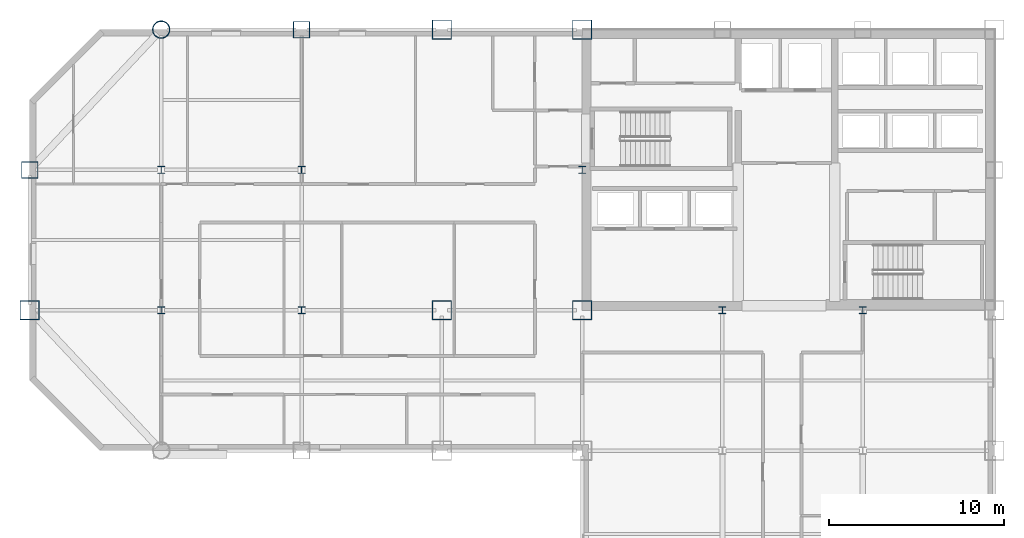
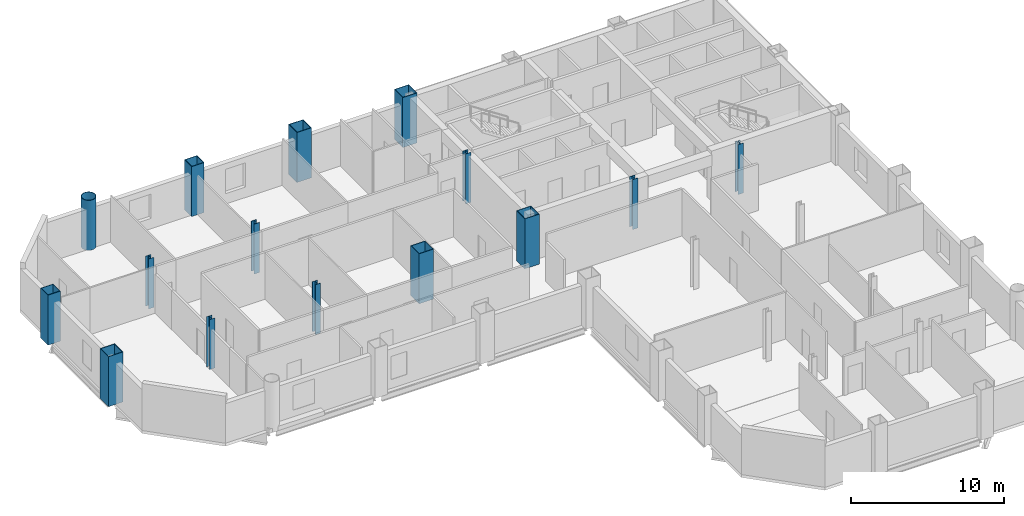
# One storey, part 3 of 10: 15 columns.
"""IFC4 building model written with IfcOpenShell, lengths in metres."""

from ifc_helpers import new_model, si_unit, direction, frame, origin, origin_2d, place, context, subcontext, project, spatial, hollow_rectangle, hollow_circle, i_section, extrude, material, material_profile, profile_set, type_object, element, save


model = new_model("IFC4")

# Units and contexts
model_context = context("Model", 3, precision=1e-05, world=origin(), true_north=direction((0.0, 1.0)))
body_context = subcontext(model_context, "Body", "Model", "MODEL_VIEW")
ifc_project = project(units=[si_unit("LENGTHUNIT", "METRE"), si_unit("AREAUNIT", "SQUARE_METRE"), si_unit("VOLUMEUNIT", "CUBIC_METRE"), si_unit("PLANEANGLEUNIT", "RADIAN"), si_unit("MASSUNIT", "GRAM", prefix="KILO")], contexts=[model_context])

# Site, building, storey
site_placement = place(None, origin())
site = spatial("IfcSite", under=ifc_project, at=site_placement, CompositionType="ELEMENT")
building_placement = place(site_placement, origin())
building = spatial("IfcBuilding", under=site, at=building_placement, Name="Qianrong Seaharbour Tower", CompositionType="ELEMENT")
storey_placement = place(building_placement, frame((0.0, 0.0, 179.0)))
storey = spatial("IfcBuildingStorey", under=building, at=storey_placement, Name="L43", CompositionType="ELEMENT", Elevation=179.0)

# Columns
ifc_material = material(Name="Structural steel SN490B", Category="steel")
ifc_material_profile_1 = material_profile(ifc_material, hollow_rectangle(XDim=1.10009765625, YDim=1.10009765625, WallThickness=0.0400390625, at=origin_2d()), Name="BOX1100x1100x40")
ifc_profile_set_1 = profile_set([ifc_material_profile_1], Name="Structural steel SN490B")
column_type_1 = type_object("IfcColumnType", Name="COL-CFT-1100", PredefinedType="COLUMN", material=ifc_profile_set_1)
for number, where, z_axis, x_axis, name in (
    (1, (9.0, 36.0, 0.0), (0.0, 0.0, 1.0), (1.0, 0.0, 0.0), "L43 Column MC-3 at G2/GF"),
    (2, (32.5, 36.0, 0.0), (0.0, 0.0, 1.0), (1.0, 0.0, 0.0), "L43 Column MC-3 at G5/GF"),
    (3, (32.5, 52.0, 0.0), (0.0, 0.0, 1.0), (1.0, 0.0, 0.0), "L43 Column MC-3 at G5/GH"),
    (4, (40.5, 36.0, 0.0), (0.0, 0.0, 1.0), (1.0, 0.0, 0.0), "L43 Column MC-3 at G6/GF"),
    (5, (40.5, 52.0, 0.0), (0.0, 0.0, 1.0), (1.0, 0.0, 0.0), "L43 Column MC-3 at G6/GH"),
):
    element("IfcColumn", number, at=place(storey_placement, frame(where, z_axis=z_axis, x_axis=x_axis)), inside=storey, type_object=column_type_1, Name=name, PredefinedType="COLUMN", context=body_context, shape_type="SweptSolid", body=[
        extrude(hollow_rectangle(XDim=1.10009765625, YDim=1.10009765625, WallThickness=0.0400390625, at=origin_2d()), origin(), (0.0, 0.0, 1.0), 4.0),
    ])
ifc_material_profile_2 = material_profile(ifc_material, hollow_circle(Radius=0.5, WallThickness=0.035888671875, at=origin_2d()), Name="CHS1000x36")
ifc_profile_set_2 = profile_set([ifc_material_profile_2], Name="Structural steel SN490B")
column_type_2 = type_object("IfcColumnType", Name="COL-CHS-1000", PredefinedType="COLUMN", material=ifc_profile_set_2)
column_placement = place(storey_placement, frame((16.5, 52.0, 0.0), z_axis=(0.0, 0.0, 1.0), x_axis=(1.0, 0.0, 0.0)))
element("IfcColumn", 6, at=column_placement, inside=storey, type_object=column_type_2, Name="L43 Column CC-2 at G3/GH", PredefinedType="COLUMN", context=body_context, shape_type="SweptSolid", body=[
    extrude(hollow_circle(Radius=0.5, WallThickness=0.035888671875, at=origin_2d()), origin(), (0.0, 0.0, 1.0), 4.0),
])
ifc_material_profile_3 = material_profile(ifc_material, i_section(OverallWidth=0.39990234375, OverallDepth=0.39990234375, WebThickness=0.012939453125, FlangeThickness=0.02099609375, FilletRadius=0.02197265625, at=origin_2d()), Name="H400x400x13x21")
ifc_profile_set_3 = profile_set([ifc_material_profile_3], Name="Structural steel SN490B")
column_type_3 = type_object("IfcColumnType", Name="COL-INT-H400", PredefinedType="COLUMN", material=ifc_profile_set_3)
for number, where, z_axis, x_axis, name in (
    (7, (16.5, 36.0, 0.0), (0.0, 0.0, 1.0), (1.0, 0.0, 0.0), "L43 Column IC-3 at G3/GF"),
    (8, (16.5, 44.0, 0.0), (0.0, 0.0, 1.0), (1.0, 0.0, 0.0), "L43 Column IC-3 at G3/GG"),
    (9, (24.5, 36.0, 0.0), (0.0, 0.0, 1.0), (1.0, 0.0, 0.0), "L43 Column IC-3 at G4/GF"),
    (10, (24.5, 44.0, 0.0), (0.0, 0.0, 1.0), (1.0, 0.0, 0.0), "L43 Column IC-3 at G4/GG"),
    (11, (40.5, 44.0, 0.0), (0.0, 0.0, 1.0), (1.0, 0.0, 0.0), "L43 Column IC-3 at G6/GG"),
    (12, (48.5, 36.0, 0.0), (0.0, 0.0, 1.0), (1.0, 0.0, 0.0), "L43 Column IC-3 at G7/GF"),
    (13, (56.5, 36.0, 0.0), (0.0, 0.0, 1.0), (1.0, 0.0, 0.0), "L43 Column IC-3 at G8/GF"),
):
    element("IfcColumn", number, at=place(storey_placement, frame(where, z_axis=z_axis, x_axis=x_axis)), inside=storey, type_object=column_type_3, Name=name, PredefinedType="COLUMN", context=body_context, shape_type="SweptSolid", body=[
        extrude(i_section(OverallWidth=0.39990234375, OverallDepth=0.39990234375, WebThickness=0.012939453125, FlangeThickness=0.02099609375, FilletRadius=0.02197265625, at=origin_2d()), origin(), (0.0, 0.0, 1.0), 4.0),
    ])
ifc_material_profile_4 = material_profile(ifc_material, hollow_rectangle(XDim=0.949951171875, YDim=0.949951171875, WallThickness=0.035888671875, at=origin_2d()), Name="BOX950x950x36")
ifc_profile_set_4 = profile_set([ifc_material_profile_4], Name="Structural steel SN490B")
column_type_4 = type_object("IfcColumnType", Name="COL-PER-950", PredefinedType="COLUMN", material=ifc_profile_set_4)
for number, where, z_axis, x_axis, name in (
    (14, (9.0, 44.0, 0.0), (0.0, 0.0, 1.0), (1.0, 0.0, 0.0), "L43 Column PC-2 at G2/GG"),
    (15, (24.5, 52.0, 0.0), (0.0, 0.0, 1.0), (1.0, 0.0, 0.0), "L43 Column PC-2 at G4/GH"),
):
    element("IfcColumn", number, at=place(storey_placement, frame(where, z_axis=z_axis, x_axis=x_axis)), inside=storey, type_object=column_type_4, Name=name, PredefinedType="COLUMN", context=body_context, shape_type="SweptSolid", body=[
        extrude(hollow_rectangle(XDim=0.949951171875, YDim=0.949951171875, WallThickness=0.035888671875, at=origin_2d()), origin(), (0.0, 0.0, 1.0), 4.0),
    ])

save(model, "model.ifc")
